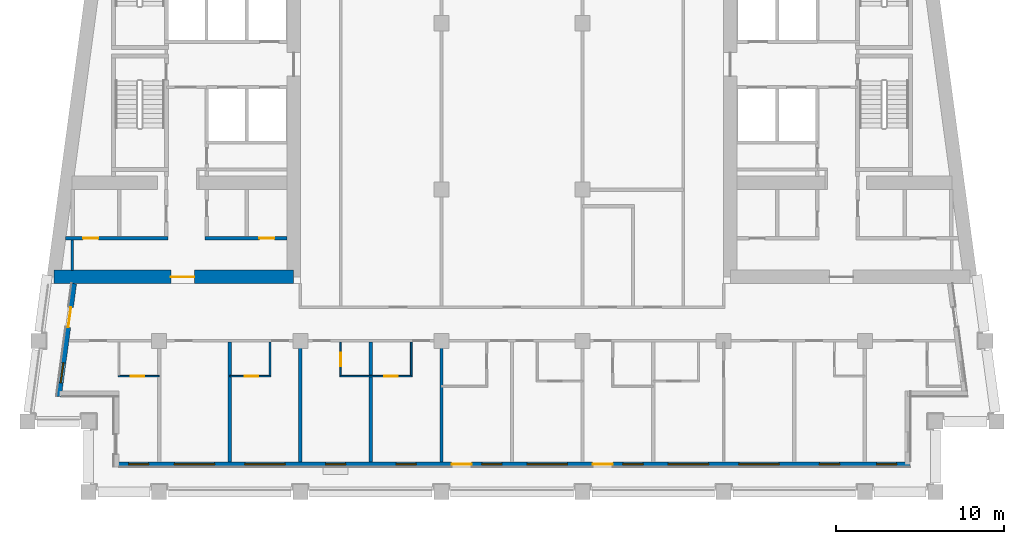
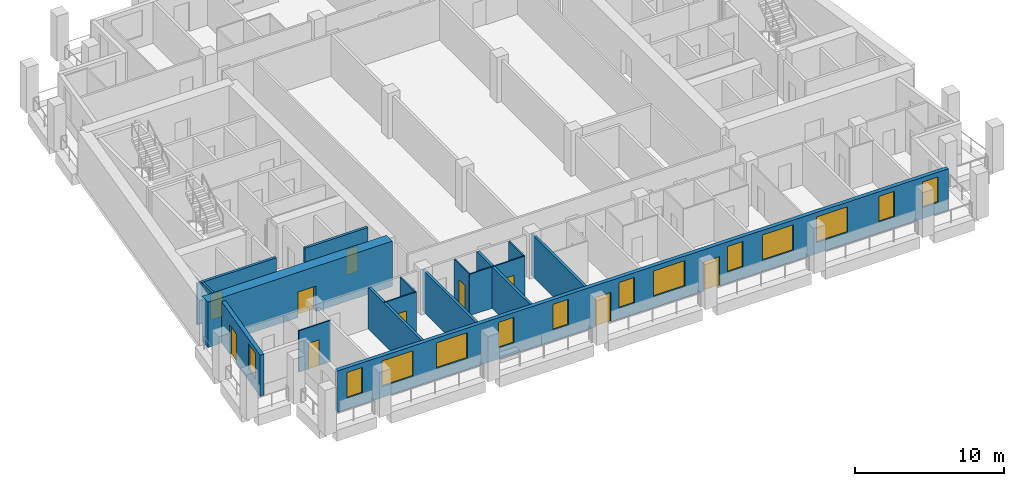
# One storey, part 2 of 13: 16 walls, 13 windows, 10 doors, 23 openings.
"""IFC4 building model written with IfcOpenShell, lengths in metres."""

from ifc_helpers import new_model, si_unit, direction, frame, frame_2d, origin, place, context, subcontext, project, spatial, rectangle, extrude, material, layer, layer_set, type_object, element, fill, save


model = new_model("IFC4")

# Units and contexts
model_context = context("Model", 3, precision=1e-05, world=origin(), true_north=direction((0.0, 1.0)))
body_context = subcontext(model_context, "Body", "Model", "MODEL_VIEW")
ifc_project = project(units=[si_unit("LENGTHUNIT", "METRE"), si_unit("AREAUNIT", "SQUARE_METRE"), si_unit("VOLUMEUNIT", "CUBIC_METRE"), si_unit("PLANEANGLEUNIT", "RADIAN"), si_unit("MASSUNIT", "GRAM", prefix="KILO")], contexts=[model_context])

# Site, building, storey
site_placement = place(None, origin())
site = spatial("IfcSite", under=ifc_project, at=site_placement, CompositionType="ELEMENT")
building_placement = place(site_placement, origin())
building = spatial("IfcBuilding", under=site, at=building_placement, Name="Candeia Pilgrim Tower and Theatre", CompositionType="ELEMENT")
storey_placement = place(building_placement, frame((0.0, 0.0, 202.199951171875)))
storey = spatial("IfcBuildingStorey", under=building, at=storey_placement, Name="L48", CompositionType="ELEMENT", Elevation=202.199951171875)

# Wall, opening, door
ifc_material_1 = material(Name="Concrete C50/60", Category="concrete")
ifc_layer_1 = layer(ifc_material_1, 0.800048828125)
ifc_layer_set_1 = layer_set([ifc_layer_1], Name="Core wall 800 C50/60")
wall_type_1 = type_object("IfcWallType", Name="Core wall 800 C50/60", PredefinedType="SHEAR", material=ifc_layer_set_1)
wall_1_placement = place(storey_placement, frame((100.39990234375, 110.800048828125, 0.0), z_axis=(0.0, 0.0, 1.0), x_axis=(-1.0, 0.0, 0.0)))
wall_1 = element("IfcWall", 1, at=wall_1_placement, inside=storey, type_object=wall_type_1, Name="Core wall W3", PredefinedType="SHEAR", context=body_context, shape_type="SweptSolid", body=[
    extrude(rectangle(XDim=14.273193359375, YDim=0.800048828125, at=frame_2d((7.13671875, 0.0))), origin(), (0.0, 0.0, 1.0), 3.699951171875),
])
opening_1_placement = place(wall_1_placement, frame((5.907958984375, 0.0, 0.0)))
opening_1 = element("IfcOpeningElement", 2, at=opening_1_placement, cuts=wall_1, Name="Opening L48-D058", PredefinedType="OPENING", context=body_context, shape_type="SweptSolid", body=[
    extrude(rectangle(XDim=1.39990234375, YDim=2.10009765625, at=frame_2d((0.699951171875, 1.050048828125))), frame((0.0, 0.41015625, 0.0), z_axis=(0.0, -1.0, 0.0), x_axis=(1.0, 0.0, 0.0)), (0.0, 0.0, 1.0), 0.820068359375),
])
ifc_material_2 = material(Name="Steel fire door set", Category="steel")
door_type_1 = type_object("IfcDoorType", Name="D-1400-FD60", OperationType="NOTDEFINED", PredefinedType="DOOR", material=ifc_material_2)
door_1_placement = place(opening_1_placement, origin())
door_1 = element("IfcDoor", 3, at=door_1_placement, inside=storey, type_object=door_type_1, Name="Door L48-D058", OperationType="SINGLE_SWING_RIGHT", OverallHeight=2.10009765625, OverallWidth=1.39990234375, PredefinedType="DOOR", context=body_context, shape_type="SweptSolid", body=[
    extrude(rectangle(XDim=1.39990234375, YDim=2.10009765625, at=frame_2d((0.699951171875, 1.050048828125))), frame((0.0, 0.02490234375, 0.0), z_axis=(0.0, -1.0, 0.0), x_axis=(1.0, 0.0, 0.0)), (0.0, 0.0, 1.0), 0.050048828125),
])
fill(opening_1, door_1)

# Wall, openings, doors, windows
ifc_material_3 = material(Name="Ceramic block masonry", Category="masonry")
ifc_layer_2 = layer(ifc_material_3, 0.300048828125)
ifc_layer_set_2 = layer_set([ifc_layer_2], Name="EW1 glazing-line wall 300")
wall_type_2 = type_object("IfcWallType", Name="EW1 glazing-line wall 300", PredefinedType="SOLIDWALL", material=ifc_layer_set_2)
wall_2_placement = place(storey_placement, frame((89.85009765625, 99.64990234375, 0.0), z_axis=(0.0, 0.0, 1.0), x_axis=(1.0, 0.0, 0.0)))
wall_2 = element("IfcWall", 4, at=wall_2_placement, inside=storey, type_object=wall_type_2, Name="External wall L48-0.0", PredefinedType="SOLIDWALL", context=body_context, shape_type="SweptSolid", body=[
    extrude(rectangle(XDim=47.25, YDim=0.300048828125, at=frame_2d((23.625, 0.0))), origin(), (0.0, 0.0, 1.0), 3.380126953125),
])
opening_2_placement = place(wall_2_placement, frame((0.72509765625, 0.0, 0.89990234375)))
opening_2 = element("IfcOpeningElement", 5, at=opening_2_placement, cuts=wall_2, Name="Opening W-B", PredefinedType="OPENING", context=body_context, shape_type="SweptSolid", body=[
    extrude(rectangle(XDim=1.199951171875, YDim=2.10009765625, at=frame_2d((0.60009765625, 1.050048828125))), frame((0.0, 0.16015625, 0.0), z_axis=(0.0, -1.0, 0.0), x_axis=(1.0, 0.0, 0.0)), (0.0, 0.0, 1.0), 0.320068359375),
])
opening_3_placement = place(wall_2_placement, frame((3.449951171875, 0.0, 0.89990234375)))
opening_3 = element("IfcOpeningElement", 6, at=opening_3_placement, cuts=wall_2, Name="Opening W-A", PredefinedType="OPENING", context=body_context, shape_type="SweptSolid", body=[
    extrude(rectangle(XDim=2.39990234375, YDim=2.10009765625, at=frame_2d((1.199951171875, 1.050048828125))), frame((0.0, 0.16015625, 0.0), z_axis=(0.0, -1.0, 0.0), x_axis=(1.0, 0.0, 0.0)), (0.0, 0.0, 1.0), 0.320068359375),
])
opening_4_placement = place(wall_2_placement, frame((7.64990234375, 0.0, 0.89990234375)))
opening_4 = element("IfcOpeningElement", 7, at=opening_4_placement, cuts=wall_2, Name="Opening W-A", PredefinedType="OPENING", context=body_context, shape_type="SweptSolid", body=[
    extrude(rectangle(XDim=2.39990234375, YDim=2.10009765625, at=frame_2d((1.199951171875, 1.050048828125))), frame((0.0, 0.16015625, 0.0), z_axis=(0.0, -1.0, 0.0), x_axis=(1.0, 0.0, 0.0)), (0.0, 0.0, 1.0), 0.320068359375),
])
opening_5_placement = place(wall_2_placement, frame((12.449951171875, 0.0, 0.89990234375)))
opening_5 = element("IfcOpeningElement", 8, at=opening_5_placement, cuts=wall_2, Name="Opening W-B", PredefinedType="OPENING", context=body_context, shape_type="SweptSolid", body=[
    extrude(rectangle(XDim=1.199951171875, YDim=2.10009765625, at=frame_2d((0.60009765625, 1.050048828125))), frame((0.0, 0.16015625, 0.0), z_axis=(0.0, -1.0, 0.0), x_axis=(1.0, 0.0, 0.0)), (0.0, 0.0, 1.0), 0.320068359375),
])
opening_6_placement = place(wall_2_placement, frame((16.64990234375, 0.0, 0.89990234375)))
opening_6 = element("IfcOpeningElement", 9, at=opening_6_placement, cuts=wall_2, Name="Opening W-B", PredefinedType="OPENING", context=body_context, shape_type="SweptSolid", body=[
    extrude(rectangle(XDim=1.199951171875, YDim=2.10009765625, at=frame_2d((0.60009765625, 1.050048828125))), frame((0.0, 0.16015625, 0.0), z_axis=(0.0, -1.0, 0.0), x_axis=(1.0, 0.0, 0.0)), (0.0, 0.0, 1.0), 0.320068359375),
])
opening_7_placement = place(wall_2_placement, frame((19.949951171875, 0.0, 0.0)))
opening_7 = element("IfcOpeningElement", 10, at=opening_7_placement, cuts=wall_2, Name="Opening L48-ED451", PredefinedType="OPENING", context=body_context, shape_type="SweptSolid", body=[
    extrude(rectangle(XDim=1.199951171875, YDim=2.39990234375, at=frame_2d((0.60009765625, 1.199951171875))), frame((0.0, 0.16015625, 0.0), z_axis=(0.0, -1.0, 0.0), x_axis=(1.0, 0.0, 0.0)), (0.0, 0.0, 1.0), 0.320068359375),
])
opening_8_placement = place(wall_2_placement, frame((21.75, 0.0, 0.89990234375)))
opening_8 = element("IfcOpeningElement", 11, at=opening_8_placement, cuts=wall_2, Name="Opening W-B", PredefinedType="OPENING", context=body_context, shape_type="SweptSolid", body=[
    extrude(rectangle(XDim=1.199951171875, YDim=2.10009765625, at=frame_2d((0.60009765625, 1.050048828125))), frame((0.0, 0.16015625, 0.0), z_axis=(0.0, -1.0, 0.0), x_axis=(1.0, 0.0, 0.0)), (0.0, 0.0, 1.0), 0.320068359375),
])
opening_9_placement = place(wall_2_placement, frame((24.449951171875, 0.0, 0.89990234375)))
opening_9 = element("IfcOpeningElement", 12, at=opening_9_placement, cuts=wall_2, Name="Opening W-A", PredefinedType="OPENING", context=body_context, shape_type="SweptSolid", body=[
    extrude(rectangle(XDim=2.39990234375, YDim=2.10009765625, at=frame_2d((1.199951171875, 1.050048828125))), frame((0.0, 0.16015625, 0.0), z_axis=(0.0, -1.0, 0.0), x_axis=(1.0, 0.0, 0.0)), (0.0, 0.0, 1.0), 0.320068359375),
])
opening_10_placement = place(wall_2_placement, frame((28.35009765625, 0.0, 0.0)))
opening_10 = element("IfcOpeningElement", 13, at=opening_10_placement, cuts=wall_2, Name="Opening L48-ED452", PredefinedType="OPENING", context=body_context, shape_type="SweptSolid", body=[
    extrude(rectangle(XDim=1.199951171875, YDim=2.39990234375, at=frame_2d((0.60009765625, 1.199951171875))), frame((0.0, 0.16015625, 0.0), z_axis=(0.0, -1.0, 0.0), x_axis=(1.0, 0.0, 0.0)), (0.0, 0.0, 1.0), 0.320068359375),
])
opening_11_placement = place(wall_2_placement, frame((30.14990234375, 0.0, 0.89990234375)))
opening_11 = element("IfcOpeningElement", 14, at=opening_11_placement, cuts=wall_2, Name="Opening W-B", PredefinedType="OPENING", context=body_context, shape_type="SweptSolid", body=[
    extrude(rectangle(XDim=1.199951171875, YDim=2.10009765625, at=frame_2d((0.60009765625, 1.050048828125))), frame((0.0, 0.16015625, 0.0), z_axis=(0.0, -1.0, 0.0), x_axis=(1.0, 0.0, 0.0)), (0.0, 0.0, 1.0), 0.320068359375),
])
opening_12_placement = place(wall_2_placement, frame((32.85009765625, 0.0, 0.89990234375)))
opening_12 = element("IfcOpeningElement", 15, at=opening_12_placement, cuts=wall_2, Name="Opening W-A", PredefinedType="OPENING", context=body_context, shape_type="SweptSolid", body=[
    extrude(rectangle(XDim=2.39990234375, YDim=2.10009765625, at=frame_2d((1.199951171875, 1.050048828125))), frame((0.0, 0.16015625, 0.0), z_axis=(0.0, -1.0, 0.0), x_axis=(1.0, 0.0, 0.0)), (0.0, 0.0, 1.0), 0.320068359375),
])
opening_13_placement = place(wall_2_placement, frame((37.050048828125, 0.0, 0.89990234375)))
opening_13 = element("IfcOpeningElement", 16, at=opening_13_placement, cuts=wall_2, Name="Opening W-A", PredefinedType="OPENING", context=body_context, shape_type="SweptSolid", body=[
    extrude(rectangle(XDim=2.39990234375, YDim=2.10009765625, at=frame_2d((1.199951171875, 1.050048828125))), frame((0.0, 0.16015625, 0.0), z_axis=(0.0, -1.0, 0.0), x_axis=(1.0, 0.0, 0.0)), (0.0, 0.0, 1.0), 0.320068359375),
])
opening_14_placement = place(wall_2_placement, frame((41.85009765625, 0.0, 0.89990234375)))
opening_14 = element("IfcOpeningElement", 17, at=opening_14_placement, cuts=wall_2, Name="Opening W-B", PredefinedType="OPENING", context=body_context, shape_type="SweptSolid", body=[
    extrude(rectangle(XDim=1.199951171875, YDim=2.10009765625, at=frame_2d((0.60009765625, 1.050048828125))), frame((0.0, 0.16015625, 0.0), z_axis=(0.0, -1.0, 0.0), x_axis=(1.0, 0.0, 0.0)), (0.0, 0.0, 1.0), 0.320068359375),
])
opening_15_placement = place(wall_2_placement, frame((45.25, 0.0, 0.89990234375)))
opening_15 = element("IfcOpeningElement", 18, at=opening_15_placement, cuts=wall_2, Name="Opening W-B", PredefinedType="OPENING", context=body_context, shape_type="SweptSolid", body=[
    extrude(rectangle(XDim=1.199951171875, YDim=2.10009765625, at=frame_2d((0.60009765625, 1.050048828125))), frame((0.0, 0.16015625, 0.0), z_axis=(0.0, -1.0, 0.0), x_axis=(1.0, 0.0, 0.0)), (0.0, 0.0, 1.0), 0.320068359375),
])
ifc_material_4 = material(Name="Aluminium framed glazed door", Category="aluminium")
door_type_2 = type_object("IfcDoorType", Name="Loggia door 1200x2400", OperationType="DOUBLE_DOOR_SINGLE_SWING", PredefinedType="DOOR", material=ifc_material_4)
door_2_placement = place(opening_7_placement, origin())
door_2 = element("IfcDoor", 19, at=door_2_placement, inside=storey, type_object=door_type_2, Name="Loggia door L48-ED451", OperationType="DOUBLE_DOOR_SINGLE_SWING", OverallHeight=2.39990234375, OverallWidth=1.199951171875, PredefinedType="DOOR", context=body_context, shape_type="SweptSolid", body=[
    extrude(rectangle(XDim=1.199951171875, YDim=2.39990234375, at=frame_2d((0.60009765625, 1.199951171875))), frame((0.0, 0.02490234375, 0.0), z_axis=(0.0, -1.0, 0.0), x_axis=(1.0, 0.0, 0.0)), (0.0, 0.0, 1.0), 0.050048828125),
])
fill(opening_7, door_2)
door_3_placement = place(opening_10_placement, origin())
door_3 = element("IfcDoor", 20, at=door_3_placement, inside=storey, type_object=door_type_2, Name="Loggia door L48-ED452", OperationType="DOUBLE_DOOR_SINGLE_SWING", OverallHeight=2.39990234375, OverallWidth=1.199951171875, PredefinedType="DOOR", context=body_context, shape_type="SweptSolid", body=[
    extrude(rectangle(XDim=1.199951171875, YDim=2.39990234375, at=frame_2d((0.60009765625, 1.199951171875))), frame((0.0, 0.02490234375, 0.0), z_axis=(0.0, -1.0, 0.0), x_axis=(1.0, 0.0, 0.0)), (0.0, 0.0, 1.0), 0.050048828125),
])
fill(opening_10, door_3)
ifc_material_5 = material(Name="Aluminium framed double glazing", Category="aluminium")
window_type_1 = type_object("IfcWindowType", Name="W-A window 2400x2100", PartitioningType="DOUBLE_PANEL_VERTICAL", PredefinedType="WINDOW", material=ifc_material_5)
window_1_placement = place(opening_3_placement, origin())
window_1 = element("IfcWindow", 21, at=window_1_placement, inside=storey, type_object=window_type_1, Name="Window W-A L48", OverallHeight=2.10009765625, OverallWidth=2.39990234375, PartitioningType="SINGLE_PANEL", PredefinedType="WINDOW", context=body_context, shape_type="SweptSolid", body=[
    extrude(rectangle(XDim=2.39990234375, YDim=2.10009765625, at=frame_2d((1.199951171875, 1.050048828125))), frame((0.0, 0.030029296875, 0.0), z_axis=(0.0, -1.0, 0.0), x_axis=(1.0, 0.0, 0.0)), (0.0, 0.0, 1.0), 0.06005859375),
])
fill(opening_3, window_1)
window_2_placement = place(opening_4_placement, origin())
window_2 = element("IfcWindow", 22, at=window_2_placement, inside=storey, type_object=window_type_1, Name="Window W-A L48", OverallHeight=2.10009765625, OverallWidth=2.39990234375, PartitioningType="SINGLE_PANEL", PredefinedType="WINDOW", context=body_context, shape_type="SweptSolid", body=[
    extrude(rectangle(XDim=2.39990234375, YDim=2.10009765625, at=frame_2d((1.199951171875, 1.050048828125))), frame((0.0, 0.030029296875, 0.0), z_axis=(0.0, -1.0, 0.0), x_axis=(1.0, 0.0, 0.0)), (0.0, 0.0, 1.0), 0.06005859375),
])
fill(opening_4, window_2)
window_3_placement = place(opening_9_placement, origin())
window_3 = element("IfcWindow", 23, at=window_3_placement, inside=storey, type_object=window_type_1, Name="Window W-A L48", OverallHeight=2.10009765625, OverallWidth=2.39990234375, PartitioningType="SINGLE_PANEL", PredefinedType="WINDOW", context=body_context, shape_type="SweptSolid", body=[
    extrude(rectangle(XDim=2.39990234375, YDim=2.10009765625, at=frame_2d((1.199951171875, 1.050048828125))), frame((0.0, 0.030029296875, 0.0), z_axis=(0.0, -1.0, 0.0), x_axis=(1.0, 0.0, 0.0)), (0.0, 0.0, 1.0), 0.06005859375),
])
fill(opening_9, window_3)
window_4_placement = place(opening_12_placement, origin())
window_4 = element("IfcWindow", 24, at=window_4_placement, inside=storey, type_object=window_type_1, Name="Window W-A L48", OverallHeight=2.10009765625, OverallWidth=2.39990234375, PartitioningType="SINGLE_PANEL", PredefinedType="WINDOW", context=body_context, shape_type="SweptSolid", body=[
    extrude(rectangle(XDim=2.39990234375, YDim=2.10009765625, at=frame_2d((1.199951171875, 1.050048828125))), frame((0.0, 0.030029296875, 0.0), z_axis=(0.0, -1.0, 0.0), x_axis=(1.0, 0.0, 0.0)), (0.0, 0.0, 1.0), 0.06005859375),
])
fill(opening_12, window_4)
window_5_placement = place(opening_13_placement, origin())
window_5 = element("IfcWindow", 25, at=window_5_placement, inside=storey, type_object=window_type_1, Name="Window W-A L48", OverallHeight=2.10009765625, OverallWidth=2.39990234375, PartitioningType="SINGLE_PANEL", PredefinedType="WINDOW", context=body_context, shape_type="SweptSolid", body=[
    extrude(rectangle(XDim=2.39990234375, YDim=2.10009765625, at=frame_2d((1.199951171875, 1.050048828125))), frame((0.0, 0.030029296875, 0.0), z_axis=(0.0, -1.0, 0.0), x_axis=(1.0, 0.0, 0.0)), (0.0, 0.0, 1.0), 0.06005859375),
])
fill(opening_13, window_5)
window_type_2 = type_object("IfcWindowType", Name="W-B window 1200x2100", PartitioningType="SINGLE_PANEL", PredefinedType="WINDOW", material=ifc_material_5)
window_6_placement = place(opening_2_placement, origin())
window_6 = element("IfcWindow", 26, at=window_6_placement, inside=storey, type_object=window_type_2, Name="Window W-B L48", OverallHeight=2.10009765625, OverallWidth=1.199951171875, PartitioningType="SINGLE_PANEL", PredefinedType="WINDOW", context=body_context, shape_type="SweptSolid", body=[
    extrude(rectangle(XDim=1.199951171875, YDim=2.10009765625, at=frame_2d((0.60009765625, 1.050048828125))), frame((0.0, 0.030029296875, 0.0), z_axis=(0.0, -1.0, 0.0), x_axis=(1.0, 0.0, 0.0)), (0.0, 0.0, 1.0), 0.06005859375),
])
fill(opening_2, window_6)
window_7_placement = place(opening_5_placement, origin())
window_7 = element("IfcWindow", 27, at=window_7_placement, inside=storey, type_object=window_type_2, Name="Window W-B L48", OverallHeight=2.10009765625, OverallWidth=1.199951171875, PartitioningType="SINGLE_PANEL", PredefinedType="WINDOW", context=body_context, shape_type="SweptSolid", body=[
    extrude(rectangle(XDim=1.199951171875, YDim=2.10009765625, at=frame_2d((0.60009765625, 1.050048828125))), frame((0.0, 0.030029296875, 0.0), z_axis=(0.0, -1.0, 0.0), x_axis=(1.0, 0.0, 0.0)), (0.0, 0.0, 1.0), 0.06005859375),
])
fill(opening_5, window_7)
window_8_placement = place(opening_6_placement, origin())
window_8 = element("IfcWindow", 28, at=window_8_placement, inside=storey, type_object=window_type_2, Name="Window W-B L48", OverallHeight=2.10009765625, OverallWidth=1.199951171875, PartitioningType="SINGLE_PANEL", PredefinedType="WINDOW", context=body_context, shape_type="SweptSolid", body=[
    extrude(rectangle(XDim=1.199951171875, YDim=2.10009765625, at=frame_2d((0.60009765625, 1.050048828125))), frame((0.0, 0.030029296875, 0.0), z_axis=(0.0, -1.0, 0.0), x_axis=(1.0, 0.0, 0.0)), (0.0, 0.0, 1.0), 0.06005859375),
])
fill(opening_6, window_8)
window_9_placement = place(opening_8_placement, origin())
window_9 = element("IfcWindow", 29, at=window_9_placement, inside=storey, type_object=window_type_2, Name="Window W-B L48", OverallHeight=2.10009765625, OverallWidth=1.199951171875, PartitioningType="SINGLE_PANEL", PredefinedType="WINDOW", context=body_context, shape_type="SweptSolid", body=[
    extrude(rectangle(XDim=1.199951171875, YDim=2.10009765625, at=frame_2d((0.60009765625, 1.050048828125))), frame((0.0, 0.030029296875, 0.0), z_axis=(0.0, -1.0, 0.0), x_axis=(1.0, 0.0, 0.0)), (0.0, 0.0, 1.0), 0.06005859375),
])
fill(opening_8, window_9)
window_10_placement = place(opening_11_placement, origin())
window_10 = element("IfcWindow", 30, at=window_10_placement, inside=storey, type_object=window_type_2, Name="Window W-B L48", OverallHeight=2.10009765625, OverallWidth=1.199951171875, PartitioningType="SINGLE_PANEL", PredefinedType="WINDOW", context=body_context, shape_type="SweptSolid", body=[
    extrude(rectangle(XDim=1.199951171875, YDim=2.10009765625, at=frame_2d((0.60009765625, 1.050048828125))), frame((0.0, 0.030029296875, 0.0), z_axis=(0.0, -1.0, 0.0), x_axis=(1.0, 0.0, 0.0)), (0.0, 0.0, 1.0), 0.06005859375),
])
fill(opening_11, window_10)
window_11_placement = place(opening_14_placement, origin())
window_11 = element("IfcWindow", 31, at=window_11_placement, inside=storey, type_object=window_type_2, Name="Window W-B L48", OverallHeight=2.10009765625, OverallWidth=1.199951171875, PartitioningType="SINGLE_PANEL", PredefinedType="WINDOW", context=body_context, shape_type="SweptSolid", body=[
    extrude(rectangle(XDim=1.199951171875, YDim=2.10009765625, at=frame_2d((0.60009765625, 1.050048828125))), frame((0.0, 0.030029296875, 0.0), z_axis=(0.0, -1.0, 0.0), x_axis=(1.0, 0.0, 0.0)), (0.0, 0.0, 1.0), 0.06005859375),
])
fill(opening_14, window_11)
window_12_placement = place(opening_15_placement, origin())
window_12 = element("IfcWindow", 32, at=window_12_placement, inside=storey, type_object=window_type_2, Name="Window W-B L48", OverallHeight=2.10009765625, OverallWidth=1.199951171875, PartitioningType="SINGLE_PANEL", PredefinedType="WINDOW", context=body_context, shape_type="SweptSolid", body=[
    extrude(rectangle(XDim=1.199951171875, YDim=2.10009765625, at=frame_2d((0.60009765625, 1.050048828125))), frame((0.0, 0.030029296875, 0.0), z_axis=(0.0, -1.0, 0.0), x_axis=(1.0, 0.0, 0.0)), (0.0, 0.0, 1.0), 0.06005859375),
])
fill(opening_15, window_12)

# Wall, openings, door, window
wall_3_placement = place(storey_placement, frame((87.334228515625, 110.39990234375, 0.0), z_axis=(0.0, 0.0, 1.0), x_axis=(-0.133437175554, -0.991057273915, 0.0)))
wall_3 = element("IfcWall", 33, at=wall_3_placement, inside=storey, type_object=wall_type_2, Name="External wall L48-9.1", PredefinedType="SOLIDWALL", context=body_context, shape_type="SweptSolid", body=[
    extrude(rectangle(XDim=6.780517578125, YDim=0.300048828125, at=frame_2d((3.39013671875, 0.0))), origin(), (0.0, 0.0, 1.0), 3.380126953125),
])
opening_16_placement = place(wall_3_placement, frame((1.41796875, 0.0, 0.0)))
opening_16 = element("IfcOpeningElement", 34, at=opening_16_placement, cuts=wall_3, Name="Opening L48-ED460", PredefinedType="OPENING", context=body_context, shape_type="SweptSolid", body=[
    extrude(rectangle(XDim=1.199951171875, YDim=2.39990234375, at=frame_2d((0.60009765625, 1.199951171875))), frame((0.0, 0.16015625, 0.0), z_axis=(0.0, -1.0, 0.0), x_axis=(1.0, 0.0, 0.0)), (0.0, 0.0, 1.0), 0.320068359375),
])
opening_17_placement = place(wall_3_placement, frame((4.75830078125, 0.0, 0.89990234375)))
opening_17 = element("IfcOpeningElement", 35, at=opening_17_placement, cuts=wall_3, Name="Opening W-B", PredefinedType="OPENING", context=body_context, shape_type="SweptSolid", body=[
    extrude(rectangle(XDim=1.199951171875, YDim=2.10009765625, at=frame_2d((0.60009765625, 1.050048828125))), frame((0.0, 0.16015625, 0.0), z_axis=(0.0, -1.0, 0.0), x_axis=(1.0, 0.0, 0.0)), (0.0, 0.0, 1.0), 0.320068359375),
])
door_4_placement = place(opening_16_placement, origin())
door_4 = element("IfcDoor", 36, at=door_4_placement, inside=storey, type_object=door_type_2, Name="Loggia door L48-ED460", OperationType="DOUBLE_DOOR_SINGLE_SWING", OverallHeight=2.39990234375, OverallWidth=1.199951171875, PredefinedType="DOOR", context=body_context, shape_type="SweptSolid", body=[
    extrude(rectangle(XDim=1.199951171875, YDim=2.39990234375, at=frame_2d((0.60009765625, 1.199951171875))), frame((0.0, 0.02490234375, 0.0), z_axis=(0.0, -1.0, 0.0), x_axis=(1.0, 0.0, 0.0)), (0.0, 0.0, 1.0), 0.050048828125),
])
fill(opening_16, door_4)
window_13_placement = place(opening_17_placement, origin())
window_13 = element("IfcWindow", 37, at=window_13_placement, inside=storey, type_object=window_type_2, Name="Window W-B L48", OverallHeight=2.10009765625, OverallWidth=1.199951171875, PartitioningType="SINGLE_PANEL", PredefinedType="WINDOW", context=body_context, shape_type="SweptSolid", body=[
    extrude(rectangle(XDim=1.199951171875, YDim=2.10009765625, at=frame_2d((0.60009765625, 1.050048828125))), frame((0.0, 0.030029296875, 0.0), z_axis=(0.0, -1.0, 0.0), x_axis=(1.0, 0.0, 0.0)), (0.0, 0.0, 1.0), 0.06005859375),
])
fill(opening_17, window_13)

# Wall, opening, door
ifc_material_6 = material(Name="Gypsum board partition on steel studs", Category="steel")
ifc_layer_3 = layer(ifc_material_6, 0.10009765625)
ifc_layer_set_3 = layer_set([ifc_layer_3], Name="PW-100 room partition")
wall_type_3 = type_object("IfcWallType", Name="PW-100 room partition", PredefinedType="PARTITIONING", material=ifc_layer_set_3)
wall_4_placement = place(storey_placement, frame((89.949951171875, 104.89990234375, 0.0), z_axis=(0.0, 0.0, 1.0), x_axis=(1.0, 0.0, 0.0)))
wall_4 = element("IfcWall", 38, at=wall_4_placement, inside=storey, type_object=wall_type_3, Name="Room partition L48-006", PredefinedType="PARTITIONING", context=body_context, shape_type="SweptSolid", body=[
    extrude(rectangle(XDim=2.449951171875, YDim=0.10009765625, at=frame_2d((1.22509765625, 0.0))), origin(), (0.0, 0.0, 1.0), 3.380126953125),
])
opening_18_placement = place(wall_4_placement, frame((0.760009765625, 0.0, 0.0)))
opening_18 = element("IfcOpeningElement", 39, at=opening_18_placement, cuts=wall_4, Name="Opening L48-D018", PredefinedType="OPENING", context=body_context, shape_type="SweptSolid", body=[
    extrude(rectangle(XDim=0.800048828125, YDim=2.10009765625, at=frame_2d((0.39990234375, 1.050048828125))), frame((0.0, 0.06005859375, 0.0), z_axis=(0.0, -1.0, 0.0), x_axis=(1.0, 0.0, 0.0)), (0.0, 0.0, 1.0), 0.1201171875),
])
ifc_material_7 = material(Name="Timber door leaf", Category="wood")
door_type_3 = type_object("IfcDoorType", Name="D-800", OperationType="NOTDEFINED", PredefinedType="DOOR", material=ifc_material_7)
door_5_placement = place(opening_18_placement, origin())
door_5 = element("IfcDoor", 40, at=door_5_placement, inside=storey, type_object=door_type_3, Name="Door L48-D018", OperationType="SINGLE_SWING_RIGHT", OverallHeight=2.10009765625, OverallWidth=0.800048828125, PredefinedType="DOOR", context=body_context, shape_type="SweptSolid", body=[
    extrude(rectangle(XDim=0.800048828125, YDim=2.10009765625, at=frame_2d((0.39990234375, 1.050048828125))), frame((0.0, 0.02490234375, 0.0), z_axis=(0.0, -1.0, 0.0), x_axis=(1.0, 0.0, 0.0)), (0.0, 0.0, 1.0), 0.050048828125),
])
fill(opening_18, door_5)

wall_5_placement = place(storey_placement, frame((96.60009765625, 104.89990234375, 0.0), z_axis=(0.0, 0.0, 1.0), x_axis=(1.0, 0.0, 0.0)))
wall_5 = element("IfcWall", 41, at=wall_5_placement, inside=storey, type_object=wall_type_3, Name="Room partition L48-007", PredefinedType="PARTITIONING", context=body_context, shape_type="SweptSolid", body=[
    extrude(rectangle(XDim=2.449951171875, YDim=0.10009765625, at=frame_2d((1.22509765625, 0.0))), origin(), (0.0, 0.0, 1.0), 3.380126953125),
])
opening_19_placement = place(wall_5_placement, frame((0.889892578125, 0.0, 0.0)))
opening_19 = element("IfcOpeningElement", 42, at=opening_19_placement, cuts=wall_5, Name="Opening L48-D021", PredefinedType="OPENING", context=body_context, shape_type="SweptSolid", body=[
    extrude(rectangle(XDim=0.800048828125, YDim=2.10009765625, at=frame_2d((0.39990234375, 1.050048828125))), frame((0.0, 0.06005859375, 0.0), z_axis=(0.0, -1.0, 0.0), x_axis=(1.0, 0.0, 0.0)), (0.0, 0.0, 1.0), 0.1201171875),
])
door_6_placement = place(opening_19_placement, origin())
door_6 = element("IfcDoor", 43, at=door_6_placement, inside=storey, type_object=door_type_3, Name="Door L48-D021", OperationType="SINGLE_SWING_LEFT", OverallHeight=2.10009765625, OverallWidth=0.800048828125, PredefinedType="DOOR", context=body_context, shape_type="SweptSolid", body=[
    extrude(rectangle(XDim=0.800048828125, YDim=2.10009765625, at=frame_2d((0.39990234375, 1.050048828125))), frame((0.0, 0.02490234375, 0.0), z_axis=(0.0, -1.0, 0.0), x_axis=(1.0, 0.0, 0.0)), (0.0, 0.0, 1.0), 0.050048828125),
])
fill(opening_19, door_6)

wall_6_placement = place(storey_placement, frame((103.14990234375, 104.89990234375, 0.0), z_axis=(0.0, 0.0, 1.0), x_axis=(1.0, 0.0, 0.0)))
wall_6 = element("IfcWall", 44, at=wall_6_placement, inside=storey, type_object=wall_type_3, Name="Room partition L48-008", PredefinedType="PARTITIONING", context=body_context, shape_type="SweptSolid", body=[
    extrude(rectangle(XDim=4.300048828125, YDim=0.10009765625, at=frame_2d((2.14990234375, 0.0))), origin(), (0.0, 0.0, 1.0), 3.380126953125),
])
opening_20_placement = place(wall_6_placement, frame((2.64990234375, 0.0, 0.0)))
opening_20 = element("IfcOpeningElement", 45, at=opening_20_placement, cuts=wall_6, Name="Opening L48-D025", PredefinedType="OPENING", context=body_context, shape_type="SweptSolid", body=[
    extrude(rectangle(XDim=0.800048828125, YDim=2.10009765625, at=frame_2d((0.39990234375, 1.050048828125))), frame((0.0, 0.06005859375, 0.0), z_axis=(0.0, -1.0, 0.0), x_axis=(1.0, 0.0, 0.0)), (0.0, 0.0, 1.0), 0.1201171875),
])
door_7_placement = place(opening_20_placement, origin())
door_7 = element("IfcDoor", 46, at=door_7_placement, inside=storey, type_object=door_type_3, Name="Door L48-D025", OperationType="SINGLE_SWING_LEFT", OverallHeight=2.10009765625, OverallWidth=0.800048828125, PredefinedType="DOOR", context=body_context, shape_type="SweptSolid", body=[
    extrude(rectangle(XDim=0.800048828125, YDim=2.10009765625, at=frame_2d((0.39990234375, 1.050048828125))), frame((0.0, 0.02490234375, 0.0), z_axis=(0.0, -1.0, 0.0), x_axis=(1.0, 0.0, 0.0)), (0.0, 0.0, 1.0), 0.050048828125),
])
fill(opening_20, door_7)

# Wall
wall_7_placement = place(storey_placement, frame((99.0, 104.949951171875, 0.0), z_axis=(0.0, 0.0, 1.0), x_axis=(0.0, 1.0, 0.0)))
element("IfcWall", 47, at=wall_7_placement, inside=storey, type_object=wall_type_3, Name="Room partition L48-072", PredefinedType="PARTITIONING", context=body_context, shape_type="SweptSolid", body=[
    extrude(rectangle(XDim=1.97509765625, YDim=0.10009765625, at=frame_2d((0.987548828125, 0.0))), origin(), (0.0, 0.0, 1.0), 3.380126953125),
])

# Wall, opening, door
wall_8_placement = place(storey_placement, frame((103.199951171875, 104.949951171875, 0.0), z_axis=(0.0, 0.0, 1.0), x_axis=(0.0, 1.0, 0.0)))
wall_8 = element("IfcWall", 48, at=wall_8_placement, inside=storey, type_object=wall_type_3, Name="Room partition L48-078", PredefinedType="PARTITIONING", context=body_context, shape_type="SweptSolid", body=[
    extrude(rectangle(XDim=1.97509765625, YDim=0.10009765625, at=frame_2d((0.987548828125, 0.0))), origin(), (0.0, 0.0, 1.0), 3.380126953125),
])
opening_21_placement = place(wall_8_placement, frame((0.5400390625, 0.0, 0.0)))
opening_21 = element("IfcOpeningElement", 49, at=opening_21_placement, cuts=wall_8, Name="Opening L48-D023", PredefinedType="OPENING", context=body_context, shape_type="SweptSolid", body=[
    extrude(rectangle(XDim=0.800048828125, YDim=2.10009765625, at=frame_2d((0.39990234375, 1.050048828125))), frame((0.0, 0.06005859375, 0.0), z_axis=(0.0, -1.0, 0.0), x_axis=(1.0, 0.0, 0.0)), (0.0, 0.0, 1.0), 0.1201171875),
])
door_8_placement = place(opening_21_placement, origin())
door_8 = element("IfcDoor", 50, at=door_8_placement, inside=storey, type_object=door_type_3, Name="Door L48-D023", OperationType="SINGLE_SWING_LEFT", OverallHeight=2.10009765625, OverallWidth=0.800048828125, PredefinedType="DOOR", context=body_context, shape_type="SweptSolid", body=[
    extrude(rectangle(XDim=0.800048828125, YDim=2.10009765625, at=frame_2d((0.39990234375, 1.050048828125))), frame((0.0, 0.02490234375, 0.0), z_axis=(0.0, -1.0, 0.0), x_axis=(1.0, 0.0, 0.0)), (0.0, 0.0, 1.0), 0.050048828125),
])
fill(opening_21, door_8)

# Walls
wall_9_placement = place(storey_placement, frame((107.39990234375, 104.949951171875, 0.0), z_axis=(0.0, 0.0, 1.0), x_axis=(0.0, 1.0, 0.0)))
element("IfcWall", 51, at=wall_9_placement, inside=storey, type_object=wall_type_3, Name="Room partition L48-083", PredefinedType="PARTITIONING", context=body_context, shape_type="SweptSolid", body=[
    extrude(rectangle(XDim=1.97509765625, YDim=0.10009765625, at=frame_2d((0.987548828125, 0.0))), origin(), (0.0, 0.0, 1.0), 3.380126953125),
])
ifc_layer_4 = layer(ifc_material_6, 0.14990234375)
ifc_layer_set_4 = layer_set([ifc_layer_4], Name="PW-150 lobby wall")
wall_type_4 = type_object("IfcWallType", Name="PW-150 lobby wall", PredefinedType="PARTITIONING", material=ifc_layer_set_4)
wall_10_placement = place(storey_placement, frame((87.22705078125, 111.199951171875, 0.0), z_axis=(0.0, 0.0, 1.0), x_axis=(0.0, 1.0, 0.0)))
element("IfcWall", 52, at=wall_10_placement, inside=storey, type_object=wall_type_4, Name="Lobby wall L48-051", PredefinedType="PARTITIONING", context=body_context, shape_type="SweptSolid", body=[
    extrude(rectangle(XDim=1.800048828125, YDim=0.14990234375, at=frame_2d((0.89990234375, 0.0))), origin(), (0.0, 0.0, 1.0), 3.380126953125),
])
ifc_layer_5 = layer(ifc_material_6, 0.199951171875)
ifc_layer_set_5 = layer_set([ifc_layer_5], Name="PW-200 party wall")
wall_type_5 = type_object("IfcWallType", Name="PW-200 party wall", PredefinedType="PARTITIONING", material=ifc_layer_set_5)
for number, where, z_axis, x_axis, name in (
    (53, (96.60009765625, 99.7900390625, 0.0), (0.0, 0.0, 1.0), (0.0, 1.0, 0.0), "Party wall L48-067"),
    (54, (100.800048828125, 99.7900390625, 0.0), (0.0, 0.0, 1.0), (0.0, 1.0, 0.0), "Party wall L48-073"),
    (55, (105.0, 99.7900390625, 0.0), (0.0, 0.0, 1.0), (0.0, 1.0, 0.0), "Party wall L48-080"),
    (56, (109.199951171875, 99.7900390625, 0.0), (0.0, 0.0, 1.0), (0.0, 1.0, 0.0), "Party wall L48-084"),
):
    element("IfcWall", number, at=place(storey_placement, frame(where, z_axis=z_axis, x_axis=x_axis)), inside=storey, type_object=wall_type_5, Name=name, PredefinedType="PARTITIONING", context=body_context, shape_type="SweptSolid", body=[
        extrude(rectangle(XDim=7.135009765625, YDim=0.199951171875, at=frame_2d((3.5673828125, 0.0))), origin(), (0.0, 0.0, 1.0), 3.380126953125),
    ])

# Wall, opening, door
ifc_material_8 = material(Name="Concrete C40/50", Category="concrete")
ifc_layer_6 = layer(ifc_material_8, 0.199951171875)
ifc_layer_set_6 = layer_set([ifc_layer_6], Name="SW-200 shaft wall")
wall_type_6 = type_object("IfcWallType", Name="SW-200 shaft wall", PredefinedType="PARTITIONING", material=ifc_layer_set_6)
wall_11_placement = place(storey_placement, frame((86.809814453125, 113.10009765625, 0.0), z_axis=(0.0, 0.0, 1.0), x_axis=(1.0, 0.0, 0.0)))
wall_11 = element("IfcWall", 57, at=wall_11_placement, inside=storey, type_object=wall_type_6, Name="Shaft wall L48-012", PredefinedType="PARTITIONING", context=body_context, shape_type="SweptSolid", body=[
    extrude(rectangle(XDim=6.1171875, YDim=0.199951171875, at=frame_2d((3.05859375, 0.0))), origin(), (0.0, 0.0, 1.0), 3.380126953125),
])
opening_22_placement = place(wall_11_placement, frame((1.067138671875, 0.0, 0.0)))
opening_22 = element("IfcOpeningElement", 58, at=opening_22_placement, cuts=wall_11, Name="Opening L48-D005", PredefinedType="OPENING", context=body_context, shape_type="SweptSolid", body=[
    extrude(rectangle(XDim=0.89990234375, YDim=2.10009765625, at=frame_2d((0.449951171875, 1.050048828125))), frame((0.0, 0.10986328125, 0.0), z_axis=(0.0, -1.0, 0.0), x_axis=(1.0, 0.0, 0.0)), (0.0, 0.0, 1.0), 0.219970703125),
])
door_type_4 = type_object("IfcDoorType", Name="D-900-FD60", OperationType="NOTDEFINED", PredefinedType="DOOR", material=ifc_material_2)
door_9_placement = place(opening_22_placement, origin())
door_9 = element("IfcDoor", 59, at=door_9_placement, inside=storey, type_object=door_type_4, Name="Door L48-D005", OperationType="SINGLE_SWING_LEFT", OverallHeight=2.10009765625, OverallWidth=0.89990234375, PredefinedType="DOOR", context=body_context, shape_type="SweptSolid", body=[
    extrude(rectangle(XDim=0.89990234375, YDim=2.10009765625, at=frame_2d((0.449951171875, 1.050048828125))), frame((0.0, 0.02490234375, 0.0), z_axis=(0.0, -1.0, 0.0), x_axis=(1.0, 0.0, 0.0)), (0.0, 0.0, 1.0), 0.050048828125),
])
fill(opening_22, door_9)

wall_12_placement = place(storey_placement, frame((95.126953125, 113.10009765625, 0.0), z_axis=(0.0, 0.0, 1.0), x_axis=(1.0, 0.0, 0.0)))
wall_12 = element("IfcWall", 60, at=wall_12_placement, inside=storey, type_object=wall_type_6, Name="Shaft wall L48-013", PredefinedType="PARTITIONING", context=body_context, shape_type="SweptSolid", body=[
    extrude(rectangle(XDim=4.873046875, YDim=0.199951171875, at=frame_2d((2.4365234375, 0.0))), origin(), (0.0, 0.0, 1.0), 3.380126953125),
])
opening_23_placement = place(wall_12_placement, frame((3.22998046875, 0.0, 0.0)))
opening_23 = element("IfcOpeningElement", 61, at=opening_23_placement, cuts=wall_12, Name="Opening L48-D008", PredefinedType="OPENING", context=body_context, shape_type="SweptSolid", body=[
    extrude(rectangle(XDim=0.89990234375, YDim=2.10009765625, at=frame_2d((0.449951171875, 1.050048828125))), frame((0.0, 0.10986328125, 0.0), z_axis=(0.0, -1.0, 0.0), x_axis=(1.0, 0.0, 0.0)), (0.0, 0.0, 1.0), 0.219970703125),
])
door_10_placement = place(opening_23_placement, origin())
door_10 = element("IfcDoor", 62, at=door_10_placement, inside=storey, type_object=door_type_4, Name="Door L48-D008", OperationType="SINGLE_SWING_RIGHT", OverallHeight=2.10009765625, OverallWidth=0.89990234375, PredefinedType="DOOR", context=body_context, shape_type="SweptSolid", body=[
    extrude(rectangle(XDim=0.89990234375, YDim=2.10009765625, at=frame_2d((0.449951171875, 1.050048828125))), frame((0.0, 0.02490234375, 0.0), z_axis=(0.0, -1.0, 0.0), x_axis=(1.0, 0.0, 0.0)), (0.0, 0.0, 1.0), 0.050048828125),
])
fill(opening_23, door_10)

save(model, "model.ifc")
